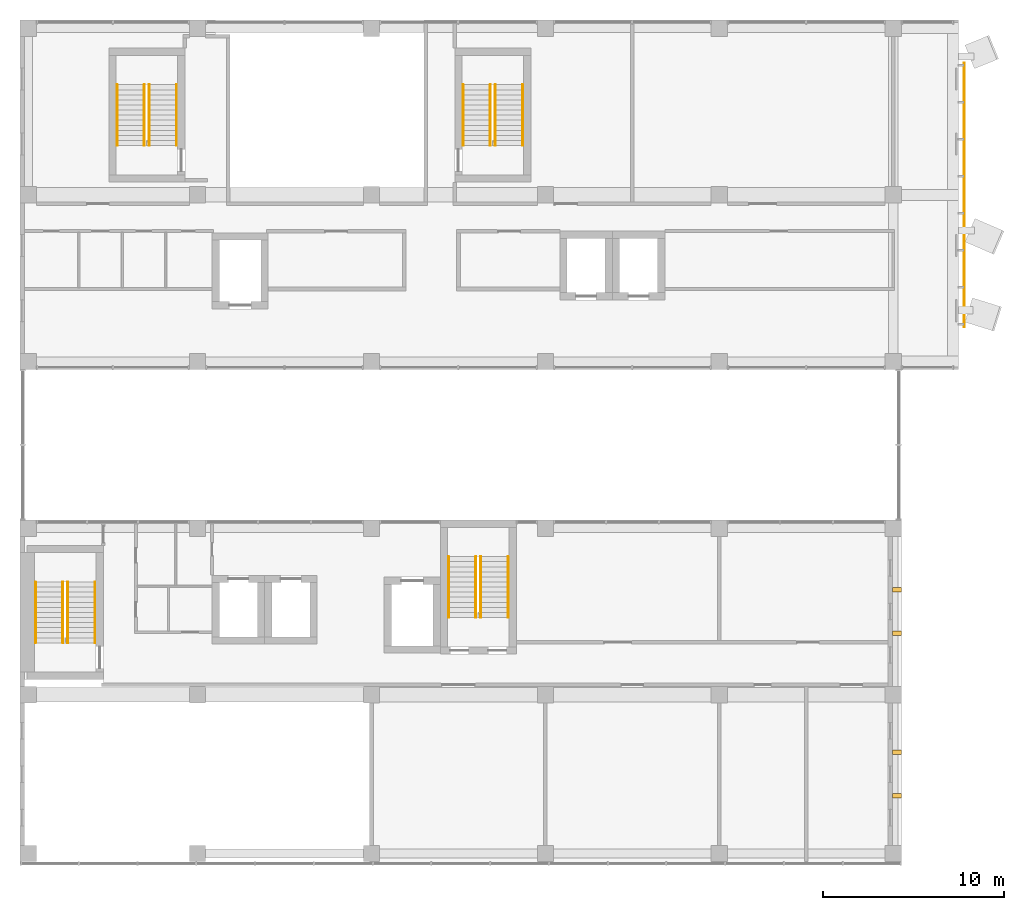
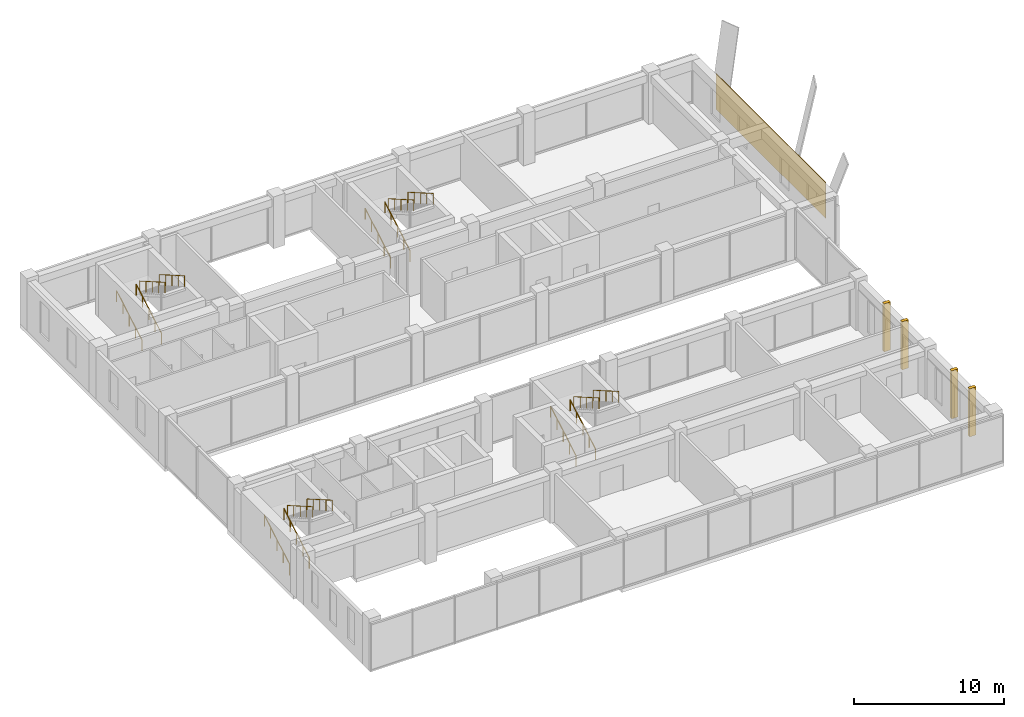
# One storey, part 32 of 37: 16 railings, 5 shading devices.
"""IFC4 building model written with IfcOpenShell, lengths in metres."""

from ifc_helpers import new_model, si_unit, direction, frame, origin, origin_2d, place, context, subcontext, project, spatial, rectangle, circle, extrude, material, type_object, element, save


model = new_model("IFC4")

# Units and contexts
model_context = context("Model", 3, precision=1e-05, world=origin(), true_north=direction((0.0, 1.0)))
body_context = subcontext(model_context, "Body", "Model", "MODEL_VIEW")
ifc_project = project(units=[si_unit("LENGTHUNIT", "METRE"), si_unit("AREAUNIT", "SQUARE_METRE"), si_unit("VOLUMEUNIT", "CUBIC_METRE"), si_unit("PLANEANGLEUNIT", "RADIAN"), si_unit("MASSUNIT", "GRAM", prefix="KILO")], contexts=[model_context])

# Site, building, storey
site_placement = place(None, origin())
site = spatial("IfcSite", under=ifc_project, at=site_placement, CompositionType="ELEMENT")
building_placement = place(site_placement, origin())
building = spatial("IfcBuilding", under=site, at=building_placement, Name="Nzadi Deep Aquarium and Research Tower", CompositionType="ELEMENT")
storey_placement = place(building_placement, frame((0.0, 0.0, 61.300048828125)))
storey = spatial("IfcBuildingStorey", under=building, at=storey_placement, Name="L12", CompositionType="ELEMENT", Elevation=61.300048828125)

# Shading devices
ifc_material_1 = material(Name="Concrete C35/45", Category="concrete")
shading_device_type_1 = type_object("IfcShadingDeviceType", Name="Fin board-formed concrete 250 deep", PredefinedType="USERDEFINED", material=ifc_material_1)
for number, where, z_axis, x_axis, name in (
    (1, (48.199951171875, 3.625, 0.0), (0.0, 0.0, 1.0), (1.0, 0.0, 0.0), "Fin blade A east L12"),
    (2, (48.199951171875, 6.02490234375, 0.0), (0.0, 0.0, 1.0), (1.0, 0.0, 0.0), "Fin blade A east L12"),
    (3, (48.199951171875, 12.60009765625, 0.0), (0.0, 0.0, 1.0), (1.0, 0.0, 0.0), "Fin blade A east L12"),
    (4, (48.199951171875, 15.0, 0.0), (0.0, 0.0, 1.0), (1.0, 0.0, 0.0), "Fin blade A east L12"),
):
    element("IfcShadingDevice", number, at=place(storey_placement, frame(where, z_axis=z_axis, x_axis=x_axis)), inside=storey, type_object=shading_device_type_1, Name=name, ObjectType="Fin", PredefinedType="USERDEFINED", context=body_context, shape_type="SweptSolid", body=[
        extrude(rectangle(XDim=0.5, YDim=0.25, at=origin_2d()), origin(), (0.0, 0.0, 1.0), 3.89990234375),
    ])

# Railings
ifc_material_2 = material(Name="Stainless steel 1.4301", Category="steel")
railing_type = type_object("IfcRailingType", Name="HANDRAIL 900", PredefinedType="HANDRAIL", material=ifc_material_2)
for number, where, name in (
    (5, (0.659912109375, 12.070068359375, 0.161376953125), "HR-ST-Z1-SW-L12-F1"),
    (6, (2.1650390625, 12.070068359375, 0.161376953125), "HR-ST-Z1-SW-L12-F1W"),
):
    element("IfcRailing", number, at=place(storey_placement, frame(where)), inside=storey, type_object=railing_type, Name=name, PredefinedType="HANDRAIL", context=body_context, shape_type="SweptSolid", body=[
        extrude(circle(Radius=0.02392578125, at=origin_2d()), frame((0.0, 0.0, 0.8759765625), z_axis=(0.0, 0.866175107563, 0.499740615757), x_axis=(-1.0, 0.0, 0.0)), (0.0, 0.0, 1.0), 3.87890625),
        extrude(circle(Radius=0.02099609375, at=origin_2d()), origin(), (0.0, 0.0, 1.0), 0.851806640625),
        extrude(circle(Radius=0.02099609375, at=origin_2d()), frame((0.0, 0.83984375, 0.484619140625)), (0.0, 0.0, 1.0), 0.851806640625),
        extrude(circle(Radius=0.02099609375, at=origin_2d()), frame((0.0, 1.679931640625, 0.96923828125)), (0.0, 0.0, 1.0), 0.851806640625),
        extrude(circle(Radius=0.02099609375, at=origin_2d()), frame((0.0, 2.52001953125, 1.453857421875)), (0.0, 0.0, 1.0), 0.851806640625),
        extrude(circle(Radius=0.02099609375, at=origin_2d()), frame((0.0, 3.35986328125, 1.9384765625)), (0.0, 0.0, 1.0), 0.851806640625),
    ])
for number, where, name in (
    (7, (3.93994140625, 15.429931640625, 2.261474609375), "HR-ST-Z1-SW-L12-F2"),
    (8, (2.43505859375, 15.429931640625, 2.261474609375), "HR-ST-Z1-SW-L12-F2W"),
):
    element("IfcRailing", number, at=place(storey_placement, frame(where)), inside=storey, type_object=railing_type, Name=name, PredefinedType="HANDRAIL", context=body_context, shape_type="SweptSolid", body=[
        extrude(circle(Radius=0.02392578125, at=origin_2d()), frame((0.0, 0.0, 0.8759765625), z_axis=(0.0, -0.866175107563, 0.499740615757), x_axis=(1.0, 0.0, 0.0)), (0.0, 0.0, 1.0), 3.87890625),
        extrude(circle(Radius=0.02099609375, at=origin_2d()), origin(), (0.0, 0.0, 1.0), 0.851806640625),
        extrude(circle(Radius=0.02099609375, at=origin_2d()), frame((0.0, -0.83984375, 0.484619140625)), (0.0, 0.0, 1.0), 0.851806640625),
        extrude(circle(Radius=0.02099609375, at=origin_2d()), frame((0.0, -1.679931640625, 0.96923828125)), (0.0, 0.0, 1.0), 0.851806640625),
        extrude(circle(Radius=0.02099609375, at=origin_2d()), frame((0.0, -2.52001953125, 1.453857421875)), (0.0, 0.0, 1.0), 0.851806640625),
        extrude(circle(Radius=0.02099609375, at=origin_2d()), frame((0.0, -3.35986328125, 1.9384765625)), (0.0, 0.0, 1.0), 0.851806640625),
    ])
for number, where, name in (
    (9, (23.4599609375, 13.469970703125, 0.161376953125), "HR-ST-Z1-SE-L12-F1"),
    (10, (24.965087890625, 13.469970703125, 0.161376953125), "HR-ST-Z1-SE-L12-F1W"),
):
    element("IfcRailing", number, at=place(storey_placement, frame(where)), inside=storey, type_object=railing_type, Name=name, PredefinedType="HANDRAIL", context=body_context, shape_type="SweptSolid", body=[
        extrude(circle(Radius=0.02392578125, at=origin_2d()), frame((0.0, 0.0, 0.8759765625), z_axis=(0.0, 0.866190824863, 0.499713372768), x_axis=(-1.0, 0.0, 0.0)), (0.0, 0.0, 1.0), 3.879150390625),
        extrude(circle(Radius=0.02099609375, at=origin_2d()), origin(), (0.0, 0.0, 1.0), 0.851806640625),
        extrude(circle(Radius=0.02099609375, at=origin_2d()), frame((0.0, 0.840087890625, 0.484619140625)), (0.0, 0.0, 1.0), 0.851806640625),
        extrude(circle(Radius=0.02099609375, at=origin_2d()), frame((0.0, 1.68017578125, 0.96923828125)), (0.0, 0.0, 1.0), 0.851806640625),
        extrude(circle(Radius=0.02099609375, at=origin_2d()), frame((0.0, 2.52001953125, 1.453857421875)), (0.0, 0.0, 1.0), 0.851806640625),
        extrude(circle(Radius=0.02099609375, at=origin_2d()), frame((0.0, 3.360107421875, 1.9384765625)), (0.0, 0.0, 1.0), 0.851806640625),
    ])
for number, where, name in (
    (11, (26.739990234375, 16.830078125, 2.261474609375), "HR-ST-Z1-SE-L12-F2"),
    (12, (25.235107421875, 16.830078125, 2.261474609375), "HR-ST-Z1-SE-L12-F2W"),
):
    element("IfcRailing", number, at=place(storey_placement, frame(where)), inside=storey, type_object=railing_type, Name=name, PredefinedType="HANDRAIL", context=body_context, shape_type="SweptSolid", body=[
        extrude(circle(Radius=0.02392578125, at=origin_2d()), frame((0.0, 0.0, 0.8759765625), z_axis=(0.0, -0.866190824863, 0.499713372768), x_axis=(1.0, 0.0, 0.0)), (0.0, 0.0, 1.0), 3.879150390625),
        extrude(circle(Radius=0.02099609375, at=origin_2d()), origin(), (0.0, 0.0, 1.0), 0.851806640625),
        extrude(circle(Radius=0.02099609375, at=origin_2d()), frame((0.0, -0.840087890625, 0.484619140625)), (0.0, 0.0, 1.0), 0.851806640625),
        extrude(circle(Radius=0.02099609375, at=origin_2d()), frame((0.0, -1.68017578125, 0.96923828125)), (0.0, 0.0, 1.0), 0.851806640625),
        extrude(circle(Radius=0.02099609375, at=origin_2d()), frame((0.0, -2.52001953125, 1.453857421875)), (0.0, 0.0, 1.0), 0.851806640625),
        extrude(circle(Radius=0.02099609375, at=origin_2d()), frame((0.0, -3.360107421875, 1.9384765625)), (0.0, 0.0, 1.0), 0.851806640625),
    ])
for number, where, name in (
    (13, (5.159912109375, 39.52001953125, 0.161376953125), "HR-ST-Z1-NW-L12-F1"),
    (14, (6.6650390625, 39.52001953125, 0.161376953125), "HR-ST-Z1-NW-L12-F1W"),
):
    element("IfcRailing", number, at=place(storey_placement, frame(where)), inside=storey, type_object=railing_type, Name=name, PredefinedType="HANDRAIL", context=body_context, shape_type="SweptSolid", body=[
        extrude(circle(Radius=0.02392578125, at=origin_2d()), frame((0.0, 0.0, 0.8759765625), z_axis=(0.0, 0.866175107563, 0.499740615757), x_axis=(-1.0, 0.0, 0.0)), (0.0, 0.0, 1.0), 3.87890625),
        extrude(circle(Radius=0.02099609375, at=origin_2d()), origin(), (0.0, 0.0, 1.0), 0.851806640625),
        extrude(circle(Radius=0.02099609375, at=origin_2d()), frame((0.0, 0.83984375, 0.484619140625)), (0.0, 0.0, 1.0), 0.851806640625),
        extrude(circle(Radius=0.02099609375, at=origin_2d()), frame((0.0, 1.679931640625, 0.96923828125)), (0.0, 0.0, 1.0), 0.851806640625),
        extrude(circle(Radius=0.02099609375, at=origin_2d()), frame((0.0, 2.52001953125, 1.453857421875)), (0.0, 0.0, 1.0), 0.851806640625),
        extrude(circle(Radius=0.02099609375, at=origin_2d()), frame((0.0, 3.35986328125, 1.9384765625)), (0.0, 0.0, 1.0), 0.851806640625),
    ])
for number, where, name in (
    (15, (8.43994140625, 42.8798828125, 2.261474609375), "HR-ST-Z1-NW-L12-F2"),
    (16, (6.93505859375, 42.8798828125, 2.261474609375), "HR-ST-Z1-NW-L12-F2W"),
):
    element("IfcRailing", number, at=place(storey_placement, frame(where)), inside=storey, type_object=railing_type, Name=name, PredefinedType="HANDRAIL", context=body_context, shape_type="SweptSolid", body=[
        extrude(circle(Radius=0.02392578125, at=origin_2d()), frame((0.0, 0.0, 0.8759765625), z_axis=(0.0, -0.866175107563, 0.499740615757), x_axis=(1.0, 0.0, 0.0)), (0.0, 0.0, 1.0), 3.87890625),
        extrude(circle(Radius=0.02099609375, at=origin_2d()), origin(), (0.0, 0.0, 1.0), 0.851806640625),
        extrude(circle(Radius=0.02099609375, at=origin_2d()), frame((0.0, -0.83984375, 0.484619140625)), (0.0, 0.0, 1.0), 0.851806640625),
        extrude(circle(Radius=0.02099609375, at=origin_2d()), frame((0.0, -1.679931640625, 0.96923828125)), (0.0, 0.0, 1.0), 0.851806640625),
        extrude(circle(Radius=0.02099609375, at=origin_2d()), frame((0.0, -2.52001953125, 1.453857421875)), (0.0, 0.0, 1.0), 0.851806640625),
        extrude(circle(Radius=0.02099609375, at=origin_2d()), frame((0.0, -3.35986328125, 1.9384765625)), (0.0, 0.0, 1.0), 0.851806640625),
    ])
for number, where, name in (
    (17, (24.260009765625, 39.52001953125, 0.161376953125), "HR-ST-Z1-NE-L12-F1"),
    (18, (25.764892578125, 39.52001953125, 0.161376953125), "HR-ST-Z1-NE-L12-F1W"),
):
    element("IfcRailing", number, at=place(storey_placement, frame(where)), inside=storey, type_object=railing_type, Name=name, PredefinedType="HANDRAIL", context=body_context, shape_type="SweptSolid", body=[
        extrude(circle(Radius=0.02392578125, at=origin_2d()), frame((0.0, 0.0, 0.8759765625), z_axis=(0.0, 0.866175107563, 0.499740615757), x_axis=(-1.0, 0.0, 0.0)), (0.0, 0.0, 1.0), 3.87890625),
        extrude(circle(Radius=0.02099609375, at=origin_2d()), origin(), (0.0, 0.0, 1.0), 0.851806640625),
        extrude(circle(Radius=0.02099609375, at=origin_2d()), frame((0.0, 0.83984375, 0.484619140625)), (0.0, 0.0, 1.0), 0.851806640625),
        extrude(circle(Radius=0.02099609375, at=origin_2d()), frame((0.0, 1.679931640625, 0.96923828125)), (0.0, 0.0, 1.0), 0.851806640625),
        extrude(circle(Radius=0.02099609375, at=origin_2d()), frame((0.0, 2.52001953125, 1.453857421875)), (0.0, 0.0, 1.0), 0.851806640625),
        extrude(circle(Radius=0.02099609375, at=origin_2d()), frame((0.0, 3.35986328125, 1.9384765625)), (0.0, 0.0, 1.0), 0.851806640625),
    ])
for number, where, name in (
    (19, (27.5400390625, 42.8798828125, 2.261474609375), "HR-ST-Z1-NE-L12-F2"),
    (20, (26.034912109375, 42.8798828125, 2.261474609375), "HR-ST-Z1-NE-L12-F2W"),
):
    element("IfcRailing", number, at=place(storey_placement, frame(where)), inside=storey, type_object=railing_type, Name=name, PredefinedType="HANDRAIL", context=body_context, shape_type="SweptSolid", body=[
        extrude(circle(Radius=0.02392578125, at=origin_2d()), frame((0.0, 0.0, 0.8759765625), z_axis=(0.0, -0.866175107563, 0.499740615757), x_axis=(1.0, 0.0, 0.0)), (0.0, 0.0, 1.0), 3.87890625),
        extrude(circle(Radius=0.02099609375, at=origin_2d()), origin(), (0.0, 0.0, 1.0), 0.851806640625),
        extrude(circle(Radius=0.02099609375, at=origin_2d()), frame((0.0, -0.83984375, 0.484619140625)), (0.0, 0.0, 1.0), 0.851806640625),
        extrude(circle(Radius=0.02099609375, at=origin_2d()), frame((0.0, -1.679931640625, 0.96923828125)), (0.0, 0.0, 1.0), 0.851806640625),
        extrude(circle(Radius=0.02099609375, at=origin_2d()), frame((0.0, -2.52001953125, 1.453857421875)), (0.0, 0.0, 1.0), 0.851806640625),
        extrude(circle(Radius=0.02099609375, at=origin_2d()), frame((0.0, -3.35986328125, 1.9384765625)), (0.0, 0.0, 1.0), 0.851806640625),
    ])

# Shading device
ifc_material_3 = material(Name="Aluminium perforated sheet", Category="aluminium")
shading_device_type_2 = type_object("IfcShadingDeviceType", Name="Perforated screen 40 mm", PredefinedType="USERDEFINED", material=ifc_material_3)
shading_device_placement = place(storey_placement, frame((51.919921875, 36.800048828125, 0.60009765625), z_axis=(0.0, 0.0, 1.0), x_axis=(1.0, 0.0, 0.0)))
element("IfcShadingDevice", 21, at=shading_device_placement, inside=storey, type_object=shading_device_type_2, Name="Perforated screen L12 BE", ObjectType="Screen", PredefinedType="USERDEFINED", context=body_context, shape_type="SweptSolid", body=[
    extrude(rectangle(XDim=0.0400390625, YDim=14.60009765625, at=origin_2d()), origin(), (0.0, 0.0, 1.0), 2.89990234375),
])

save(model, "model.ifc")
